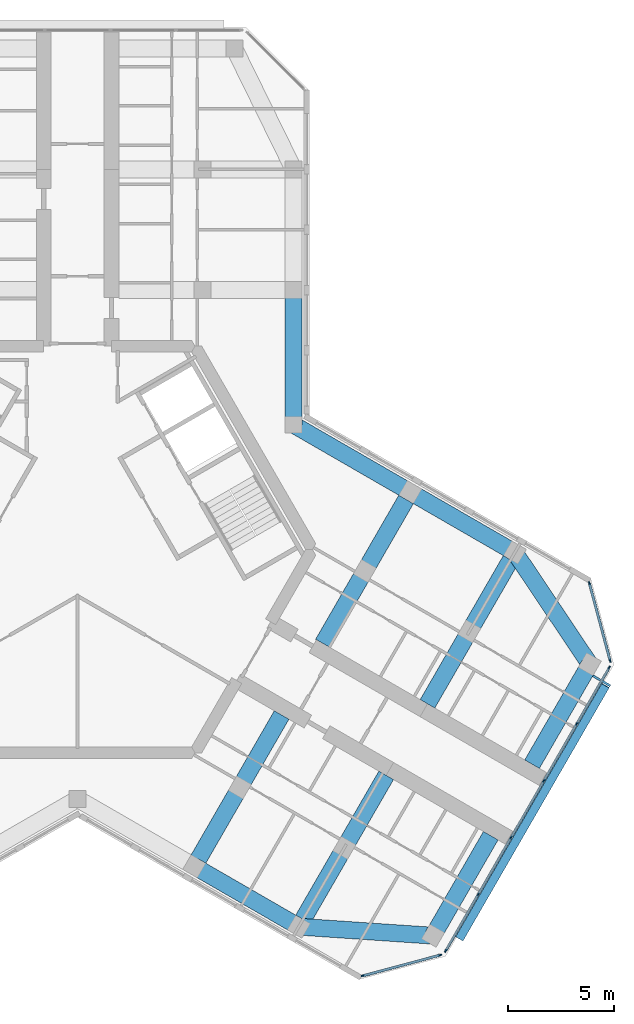
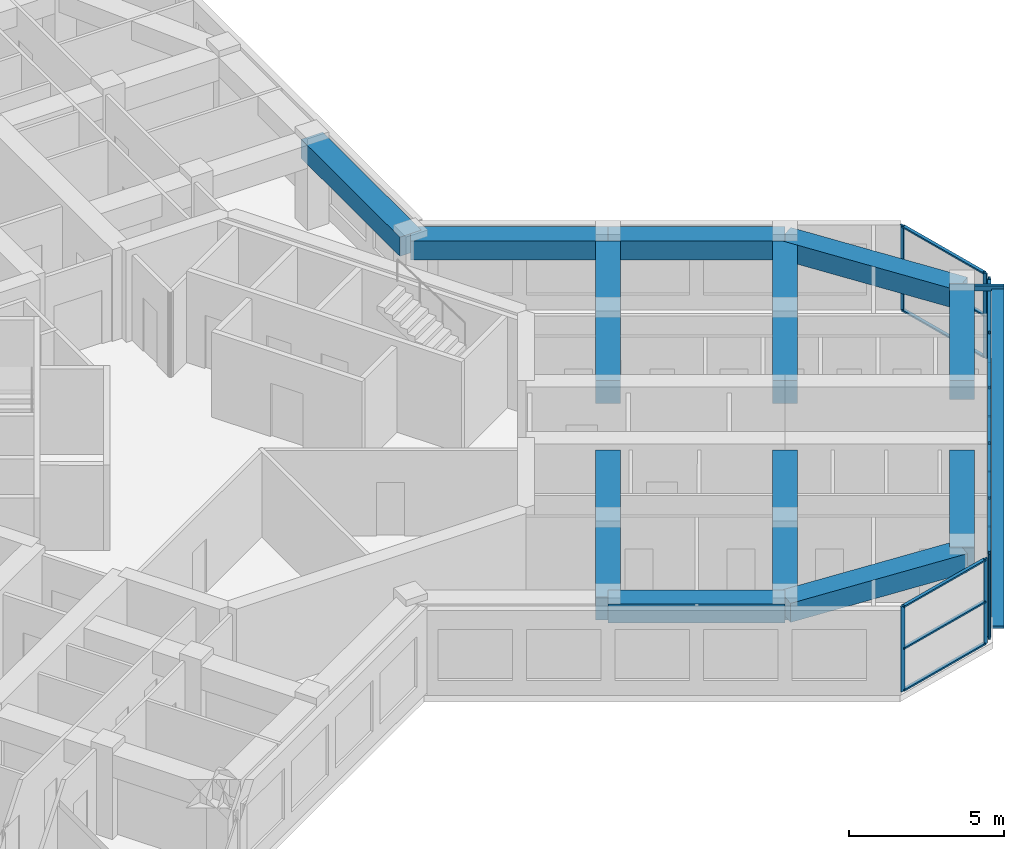
# One storey, part 4 of 14: 28 members, 12 beams, 3 elements without a shape of their own.
"""IFC4 building model written with IfcOpenShell, lengths in metres."""

from ifc_helpers import new_model, si_unit, direction, frame, origin, origin_2d, place, context, subcontext, project, spatial, rectangle, hollow_rectangle, extrude, material, material_profile, profile_set, type_object, element, aggregate, save


model = new_model("IFC4")

# Units and contexts
model_context = context("Model", 3, precision=1e-05, world=origin(), true_north=direction((0.0, 1.0)))
body_context = subcontext(model_context, "Body", "Model", "MODEL_VIEW")
ifc_project = project(units=[si_unit("LENGTHUNIT", "METRE"), si_unit("AREAUNIT", "SQUARE_METRE"), si_unit("VOLUMEUNIT", "CUBIC_METRE"), si_unit("PLANEANGLEUNIT", "RADIAN"), si_unit("MASSUNIT", "GRAM", prefix="KILO")], contexts=[model_context])

# Site, building, storey
site_placement = place(None, origin())
site = spatial("IfcSite", under=ifc_project, at=site_placement, CompositionType="ELEMENT")
building_placement = place(site_placement, origin())
building = spatial("IfcBuilding", under=site, at=building_placement, Name="Kosmar Iwan School Tower", CompositionType="ELEMENT")
storey_placement = place(building_placement, frame((0.0, 0.0, 271.0)))
storey = spatial("IfcBuildingStorey", under=building, at=storey_placement, Name="L68", CompositionType="ELEMENT", Elevation=271.0)

# Members
ifc_material_1 = material(Name="Black anodised aluminium", Category="aluminium")
ifc_material_profile_1 = material_profile(ifc_material_1, rectangle(XDim=0.10009765625, YDim=0.39990234375, at=origin_2d()), Name="FIN 100x400")
ifc_profile_set_1 = profile_set([ifc_material_profile_1], Name="Black anodised aluminium")
member_type_1 = type_object("IfcMemberType", Name="Diagonal fin 100x400", PredefinedType="USERDEFINED", material=ifc_profile_set_1)
member_1_placement = place(storey_placement, frame((18.0283203125, -18.3740234375, -0.14990234375), z_axis=(0.483802480126, 0.837968840024, 0.252474520243), x_axis=(-0.126237445008, -0.218649241594, 0.967603543104)))
element("IfcMember", 1, at=member_1_placement, inside=storey, type_object=member_type_1, Name="Diagonal fin L68-F03", ObjectType="FIN", PredefinedType="USERDEFINED", context=body_context, shape_type="SweptSolid", body=[
    extrude(rectangle(XDim=0.10009765625, YDim=0.39990234375, at=origin_2d()), origin(), (0.0, 0.0, 1.0), 14.25830078125),
])
ifc_material_2 = material(Name="Steel S355", Category="steel")
ifc_material_profile_2 = material_profile(ifc_material_2, hollow_rectangle(XDim=0.10009765625, YDim=0.199951171875, WallThickness=0.008056640625, at=origin_2d()), Name="RHS 200x100x8")
ifc_profile_set_2 = profile_set([ifc_material_profile_2], Name="Steel S355")
member_type_2 = type_object("IfcMemberType", Name="Fin bracket RHS 200x100", PredefinedType="USERDEFINED", material=ifc_profile_set_2)
member_2_placement = place(storey_placement, frame((24.327880859375, -5.962890625, 3.47509765625), z_axis=(0.866100000774, -0.49987077196, 0.0), x_axis=(0.49987077196, 0.866100000774, 0.0)))
element("IfcMember", 2, at=member_2_placement, inside=storey, type_object=member_type_2, Name="Fin bracket L69", ObjectType="FIN BRACKET", PredefinedType="USERDEFINED", context=body_context, shape_type="SweptSolid", body=[
    extrude(hollow_rectangle(XDim=0.10009765625, YDim=0.199951171875, WallThickness=0.008056640625, at=origin_2d()), origin(), (0.0, 0.0, 1.0), 0.949951171875),
])

# Curtain wall, members
ifc_material_3 = material(Name="Dark glass in black aluminium frame", Category="aluminium")
curtain_wall_type_1 = type_object("IfcCurtainWallType", Name="Chamfer curtain wall dark glass", PredefinedType="USERDEFINED", material=ifc_material_3)
curtain_wall_1_placement = place(storey_placement, origin())
curtain_wall_1 = element("IfcCurtainWall", 3, at=curtain_wall_1_placement, inside=storey, type_object=curtain_wall_type_1, Name="Curtain wall L68-F02", ObjectType="FACETED CURTAIN WALL", PredefinedType="USERDEFINED")
ifc_material_4 = material(Name="Black anodised aluminium", Category="aluminium")
ifc_material_profile_3 = material_profile(ifc_material_4, rectangle(XDim=0.06005859375, YDim=0.159912109375, at=origin_2d()), Name="MULLION 60x160")
ifc_profile_set_3 = profile_set([ifc_material_profile_3], Name="Black anodised aluminium")
member_type_3 = type_object("IfcMemberType", Name="Mullion 60x160", PredefinedType="MULLION", material=ifc_profile_set_3)
member_3_placement = place(storey_placement, frame((13.466064453125, -20.127197265625, 0.0), z_axis=(0.0, 0.0, 1.0), x_axis=(-0.258818861462, 0.965925875495, 0.0)))
member_3 = element("IfcMember", 4, at=member_3_placement, type_object=member_type_3, Name="CW2 mullion 1", PredefinedType="MULLION", context=body_context, shape_type="SweptSolid", body=[
    extrude(rectangle(XDim=0.06005859375, YDim=0.159912109375, at=origin_2d()), origin(), (0.0, 0.0, 1.0), 3.35009765625),
])
member_4_placement = place(storey_placement, frame((17.1162109375, -19.149169921875, 0.0), z_axis=(0.0, 0.0, 1.0), x_axis=(-0.258818861462, 0.965925875495, 0.0)))
member_4 = element("IfcMember", 5, at=member_4_placement, type_object=member_type_3, Name="CW2 mullion 2", PredefinedType="MULLION", context=body_context, shape_type="SweptSolid", body=[
    extrude(rectangle(XDim=0.06005859375, YDim=0.159912109375, at=origin_2d()), origin(), (0.0, 0.0, 1.0), 3.35009765625),
])

ifc_material_5 = material(Name="Dark glass in black aluminium frame", Category="aluminium")
curtain_wall_type_2 = type_object("IfcCurtainWallType", Name="Tower curtain wall dark glass", PredefinedType="USERDEFINED", material=ifc_material_5)
curtain_wall_2_placement = place(storey_placement, origin())
curtain_wall_2 = element("IfcCurtainWall", 6, at=curtain_wall_2_placement, inside=storey, type_object=curtain_wall_type_2, Name="Curtain wall L68-F03", ObjectType="UNITISED CURTAIN WALL", PredefinedType="USERDEFINED")
member_5_placement = place(storey_placement, frame((17.380126953125, -18.94677734375, 0.0), z_axis=(0.0, 0.0, 1.0), x_axis=(-0.866025405329, 0.499999997325, 0.0)))
member_5 = element("IfcMember", 7, at=member_5_placement, type_object=member_type_3, Name="CW1 mullion 1", PredefinedType="MULLION", context=body_context, shape_type="SweptSolid", body=[
    extrude(rectangle(XDim=0.06005859375, YDim=0.159912109375, at=origin_2d()), origin(), (0.0, 0.0, 1.0), 3.35009765625),
])
member_6_placement = place(storey_placement, frame((18.914794921875, -16.28857421875, 0.0), z_axis=(0.0, 0.0, 1.0), x_axis=(-0.866025405329, 0.499999997325, 0.0)))
member_6 = element("IfcMember", 8, at=member_6_placement, type_object=member_type_3, Name="CW1 mullion 2", PredefinedType="MULLION", context=body_context, shape_type="SweptSolid", body=[
    extrude(rectangle(XDim=0.06005859375, YDim=0.159912109375, at=origin_2d()), origin(), (0.0, 0.0, 1.0), 3.35009765625),
])
member_7_placement = place(storey_placement, frame((20.46435546875, -13.6044921875, 0.0), z_axis=(0.0, 0.0, 1.0), x_axis=(-0.866025405329, 0.499999997325, 0.0)))
member_7 = element("IfcMember", 9, at=member_7_placement, type_object=member_type_3, Name="CW1 mullion 3", PredefinedType="MULLION", context=body_context, shape_type="SweptSolid", body=[
    extrude(rectangle(XDim=0.06005859375, YDim=0.159912109375, at=origin_2d()), origin(), (0.0, 0.0, 1.0), 3.35009765625),
])
member_8_placement = place(storey_placement, frame((22.01416015625, -10.92041015625, 0.0), z_axis=(0.0, 0.0, 1.0), x_axis=(-0.866025405329, 0.499999997325, 0.0)))
member_8 = element("IfcMember", 10, at=member_8_placement, type_object=member_type_3, Name="CW1 mullion 4", PredefinedType="MULLION", context=body_context, shape_type="SweptSolid", body=[
    extrude(rectangle(XDim=0.06005859375, YDim=0.159912109375, at=origin_2d()), origin(), (0.0, 0.0, 1.0), 3.35009765625),
])
member_9_placement = place(storey_placement, frame((23.563720703125, -8.236328125, 0.0), z_axis=(0.0, 0.0, 1.0), x_axis=(-0.866025405329, 0.499999997325, 0.0)))
member_9 = element("IfcMember", 11, at=member_9_placement, type_object=member_type_3, Name="CW1 mullion 5", PredefinedType="MULLION", context=body_context, shape_type="SweptSolid", body=[
    extrude(rectangle(XDim=0.06005859375, YDim=0.159912109375, at=origin_2d()), origin(), (0.0, 0.0, 1.0), 3.35009765625),
])
member_10_placement = place(storey_placement, frame((25.098388671875, -5.578369140625, 0.0), z_axis=(0.0, 0.0, 1.0), x_axis=(-0.866025405329, 0.499999997325, 0.0)))
member_10 = element("IfcMember", 12, at=member_10_placement, type_object=member_type_3, Name="CW1 mullion 6", PredefinedType="MULLION", context=body_context, shape_type="SweptSolid", body=[
    extrude(rectangle(XDim=0.06005859375, YDim=0.159912109375, at=origin_2d()), origin(), (0.0, 0.0, 1.0), 3.35009765625),
])

curtain_wall_3_placement = place(storey_placement, origin())
curtain_wall_3 = element("IfcCurtainWall", 13, at=curtain_wall_3_placement, inside=storey, type_object=curtain_wall_type_1, Name="Curtain wall L68-F04", ObjectType="FACETED CURTAIN WALL", PredefinedType="USERDEFINED")
member_11_placement = place(storey_placement, frame((25.141845703125, -5.24853515625, 0.0), z_axis=(0.0, 0.0, 1.0), x_axis=(-0.965925875495, -0.258818861462, 0.0)))
member_11 = element("IfcMember", 14, at=member_11_placement, type_object=member_type_3, Name="CW2 mullion 1", PredefinedType="MULLION", context=body_context, shape_type="SweptSolid", body=[
    extrude(rectangle(XDim=0.06005859375, YDim=0.159912109375, at=origin_2d()), origin(), (0.0, 0.0, 1.0), 3.35009765625),
])
member_12_placement = place(storey_placement, frame((24.163818359375, -1.59814453125, 0.0), z_axis=(0.0, 0.0, 1.0), x_axis=(-0.965925875495, -0.258818861462, 0.0)))
member_12 = element("IfcMember", 15, at=member_12_placement, type_object=member_type_3, Name="CW2 mullion 2", PredefinedType="MULLION", context=body_context, shape_type="SweptSolid", body=[
    extrude(rectangle(XDim=0.06005859375, YDim=0.159912109375, at=origin_2d()), origin(), (0.0, 0.0, 1.0), 3.35009765625),
])

# Beams
ifc_material_6 = material(Name="Concrete C50/60", Category="concrete")
ifc_material_profile_4 = material_profile(ifc_material_6, rectangle(XDim=0.800048828125, YDim=0.75, at=origin_2d()), Name="RC 800x750")
ifc_profile_set_4 = profile_set([ifc_material_profile_4], Name="Concrete C50/60")
beam_type_1 = type_object("IfcBeamType", Name="RC edge beam 800x750", PredefinedType="BEAM", material=ifc_profile_set_4)
beam_1_placement = place(storey_placement, frame((10.199951171875, 5.888916015625, 2.97509765625), z_axis=(0.0, 1.0, 0.0), x_axis=(-1.0, 0.0, 0.0)))
element("IfcBeam", 16, at=beam_1_placement, inside=storey, type_object=beam_type_1, Name="Edge beam AR1", PredefinedType="BEAM", context=body_context, shape_type="SweptSolid", body=[
    extrude(rectangle(XDim=0.800048828125, YDim=0.75, at=origin_2d()), origin(), (0.0, 0.0, 1.0), 6.361083984375),
])
beam_2_placement = place(storey_placement, frame((10.199951171875, 5.888916015625, 2.97509765625), z_axis=(0.866030912664, -0.49999045822, 0.0), x_axis=(0.49999045822, 0.866030912664, 0.0)))
element("IfcBeam", 17, at=beam_2_placement, inside=storey, type_object=beam_type_1, Name="Edge beam CL1", PredefinedType="BEAM", context=body_context, shape_type="SweptSolid", body=[
    extrude(rectangle(XDim=0.800048828125, YDim=0.75, at=origin_2d()), origin(), (0.0, 0.0, 1.0), 6.36083984375),
])
beam_3_placement = place(storey_placement, frame((15.708740234375, 2.70849609375, 2.97509765625), z_axis=(0.866025820012, -0.499999279071, 0.0), x_axis=(0.499999279071, 0.866025820012, 0.0)))
element("IfcBeam", 18, at=beam_3_placement, inside=storey, type_object=beam_type_1, Name="Edge beam CL2", PredefinedType="BEAM", context=body_context, shape_type="SweptSolid", body=[
    extrude(rectangle(XDim=0.800048828125, YDim=0.75, at=origin_2d()), origin(), (0.0, 0.0, 1.0), 5.7001953125),
])
beam_4_placement = place(storey_placement, frame((5.5087890625, -14.95849609375, 2.97509765625), z_axis=(0.866033658841, -0.49998570155, 0.0), x_axis=(0.49998570155, 0.866033658841, 0.0)))
element("IfcBeam", 19, at=beam_4_placement, inside=storey, type_object=beam_type_1, Name="Edge beam CR2", PredefinedType="BEAM", context=body_context, shape_type="SweptSolid", body=[
    extrude(rectangle(XDim=0.800048828125, YDim=0.75, at=origin_2d()), origin(), (0.0, 0.0, 1.0), 5.699951171875),
])
ifc_material_7 = material(Name="Concrete C50/60", Category="concrete")
ifc_material_profile_5 = material_profile(ifc_material_7, rectangle(XDim=0.800048828125, YDim=0.75, at=origin_2d()), Name="RC 800x750")
ifc_profile_set_5 = profile_set([ifc_material_profile_5], Name="Concrete C50/60")
beam_type_2 = type_object("IfcBeamType", Name="RC tip beam 800x750", PredefinedType="BEAM", material=ifc_profile_set_5)
beam_5_placement = place(storey_placement, frame((20.645263671875, -0.1416015625, 2.97509765625), z_axis=(0.556827604145, -0.83062808721, 0.0), x_axis=(0.83062808721, 0.556827604145, 0.0)))
element("IfcBeam", 20, at=beam_5_placement, inside=storey, type_object=beam_type_2, Name="Tip beam CL", PredefinedType="BEAM", context=body_context, shape_type="SweptSolid", body=[
    extrude(rectangle(XDim=0.800048828125, YDim=0.75, at=origin_2d()), origin(), (0.0, 0.0, 1.0), 6.3505859375),
])
beam_6_placement = place(storey_placement, frame((24.181396484375, -5.41650390625, 2.97509765625), z_axis=(-0.499988730927, -0.866031909889, 0.0), x_axis=(0.866031909889, -0.499988730927, 0.0)))
element("IfcBeam", 21, at=beam_6_placement, inside=storey, type_object=beam_type_2, Name="Tip beam CL to corridor wall", PredefinedType="BEAM", context=body_context, shape_type="SweptSolid", body=[
    extrude(rectangle(XDim=0.800048828125, YDim=0.75, at=origin_2d()), origin(), (0.0, 0.0, 1.0), 5.449951171875),
])
beam_7_placement = place(storey_placement, frame((10.445068359375, -17.808349609375, 2.97509765625), z_axis=(0.997755118724, -0.066968074933, 0.0), x_axis=(0.066968074933, 0.997755118724, 0.0)))
element("IfcBeam", 22, at=beam_7_placement, inside=storey, type_object=beam_type_2, Name="Tip beam CR", PredefinedType="BEAM", context=body_context, shape_type="SweptSolid", body=[
    extrude(rectangle(XDim=0.800048828125, YDim=0.75, at=origin_2d()), origin(), (0.0, 0.0, 1.0), 6.3505859375),
])
beam_8_placement = place(storey_placement, frame((16.781494140625, -18.233642578125, 2.97509765625), z_axis=(0.500002931134, 0.866023711487, 0.0), x_axis=(-0.866023711487, 0.500002931134, 0.0)))
element("IfcBeam", 23, at=beam_8_placement, inside=storey, type_object=beam_type_2, Name="Tip beam CR to corridor wall", PredefinedType="BEAM", context=body_context, shape_type="SweptSolid", body=[
    extrude(rectangle(XDim=0.800048828125, YDim=0.75, at=origin_2d()), origin(), (0.0, 0.0, 1.0), 5.4501953125),
])
ifc_material_8 = material(Name="Concrete C50/60", Category="concrete")
ifc_material_profile_6 = material_profile(ifc_material_8, rectangle(XDim=0.800048828125, YDim=0.89990234375, at=origin_2d()), Name="RC 800x900")
ifc_profile_set_6 = profile_set([ifc_material_profile_6], Name="Concrete C50/60")
beam_type_3 = type_object("IfcBeamType", Name="RC transverse beam 800x900", PredefinedType="BEAM", material=ifc_profile_set_6)
beam_9_placement = place(storey_placement, frame((15.708740234375, 2.70849609375, 2.89990234375), z_axis=(-0.499996545922, -0.866027397988, 0.0), x_axis=(0.866027397988, -0.499996545922, 0.0)))
element("IfcBeam", 24, at=beam_9_placement, inside=storey, type_object=beam_type_3, Name="Transverse beam CL1", PredefinedType="BEAM", context=body_context, shape_type="SweptSolid", body=[
    extrude(rectangle(XDim=0.800048828125, YDim=0.89990234375, at=origin_2d()), origin(), (0.0, 0.0, 1.0), 8.25),
])
beam_10_placement = place(storey_placement, frame((20.645263671875, -0.1416015625, 2.89990234375), z_axis=(-0.500009360108, -0.866019999656, 0.0), x_axis=(0.866019999656, -0.500009360108, 0.0)))
element("IfcBeam", 25, at=beam_10_placement, inside=storey, type_object=beam_type_3, Name="Transverse beam CL2", PredefinedType="BEAM", context=body_context, shape_type="SweptSolid", body=[
    extrude(rectangle(XDim=0.800048828125, YDim=0.89990234375, at=origin_2d()), origin(), (0.0, 0.0, 1.0), 8.249755859375),
])
beam_11_placement = place(storey_placement, frame((5.5087890625, -14.95849609375, 2.89990234375), z_axis=(0.499996545922, 0.866027397988, 0.0), x_axis=(-0.866027397988, 0.499996545922, 0.0)))
element("IfcBeam", 26, at=beam_11_placement, inside=storey, type_object=beam_type_3, Name="Transverse beam CR1", PredefinedType="BEAM", context=body_context, shape_type="SweptSolid", body=[
    extrude(rectangle(XDim=0.800048828125, YDim=0.89990234375, at=origin_2d()), origin(), (0.0, 0.0, 1.0), 8.25),
])
beam_12_placement = place(storey_placement, frame((10.445068359375, -17.808349609375, 2.89990234375), z_axis=(0.500009360108, 0.866019999656, 0.0), x_axis=(-0.866019999656, 0.500009360108, 0.0)))
element("IfcBeam", 27, at=beam_12_placement, inside=storey, type_object=beam_type_3, Name="Transverse beam CR2", PredefinedType="BEAM", context=body_context, shape_type="SweptSolid", body=[
    extrude(rectangle(XDim=0.800048828125, YDim=0.89990234375, at=origin_2d()), origin(), (0.0, 0.0, 1.0), 8.249755859375),
])

# Member
ifc_material_9 = material(Name="Black anodised aluminium", Category="aluminium")
ifc_material_profile_7 = material_profile(ifc_material_9, rectangle(XDim=0.1201171875, YDim=0.06005859375, at=origin_2d()), Name="TRANSOM 60x120")
ifc_profile_set_7 = profile_set([ifc_material_profile_7], Name="Black anodised aluminium")
member_type_4 = type_object("IfcMemberType", Name="Transom 60x120", PredefinedType="USERDEFINED", material=ifc_profile_set_7)
member_13_placement = place(storey_placement, frame((13.494873046875, -20.119384765625, 0.030029296875), z_axis=(0.965940141052, 0.258765615768, 0.0), x_axis=(-0.258765615768, 0.965940141052, 0.0)))
member_13 = element("IfcMember", 28, at=member_13_placement, type_object=member_type_4, Name="CW2 transom 1.1", ObjectType="TRANSOM", PredefinedType="USERDEFINED", context=body_context, shape_type="SweptSolid", body=[
    extrude(rectangle(XDim=0.1201171875, YDim=0.06005859375, at=origin_2d()), origin(), (0.0, 0.0, 1.0), 3.71923828125),
])

member_14_placement = place(storey_placement, frame((13.494873046875, -20.119384765625, 1.675048828125), z_axis=(0.965940141052, 0.258765615768, 0.0), x_axis=(-0.258765615768, 0.965940141052, 0.0)))
member_14 = element("IfcMember", 29, at=member_14_placement, type_object=member_type_4, Name="CW2 transom 1.2", ObjectType="TRANSOM", PredefinedType="USERDEFINED", context=body_context, shape_type="SweptSolid", body=[
    extrude(rectangle(XDim=0.1201171875, YDim=0.06005859375, at=origin_2d()), origin(), (0.0, 0.0, 1.0), 3.71923828125),
])

member_15_placement = place(storey_placement, frame((13.494873046875, -20.119384765625, 3.320068359375), z_axis=(0.965940141052, 0.258765615768, 0.0), x_axis=(-0.258765615768, 0.965940141052, 0.0)))
member_15 = element("IfcMember", 30, at=member_15_placement, type_object=member_type_4, Name="CW2 transom 1.3", ObjectType="TRANSOM", PredefinedType="USERDEFINED", context=body_context, shape_type="SweptSolid", body=[
    extrude(rectangle(XDim=0.1201171875, YDim=0.06005859375, at=origin_2d()), origin(), (0.0, 0.0, 1.0), 3.71923828125),
])

aggregate(curtain_wall_1, [member_3, member_4, member_13, member_14, member_15])

member_16_placement = place(storey_placement, frame((17.395263671875, -18.920654296875, 0.030029296875), z_axis=(0.500022102064, 0.866012642776, 0.0), x_axis=(-0.866012642776, 0.500022102064, 0.0)))
member_16 = element("IfcMember", 31, at=member_16_placement, type_object=member_type_4, Name="CW1 transom 1.1", ObjectType="TRANSOM", PredefinedType="USERDEFINED", context=body_context, shape_type="SweptSolid", body=[
    extrude(rectangle(XDim=0.1201171875, YDim=0.06005859375, at=origin_2d()), origin(), (0.0, 0.0, 1.0), 3.009033203125),
])

member_17_placement = place(storey_placement, frame((17.395263671875, -18.920654296875, 3.320068359375), z_axis=(0.500022102064, 0.866012642776, 0.0), x_axis=(-0.866012642776, 0.500022102064, 0.0)))
member_17 = element("IfcMember", 32, at=member_17_placement, type_object=member_type_4, Name="CW1 transom 1.2", ObjectType="TRANSOM", PredefinedType="USERDEFINED", context=body_context, shape_type="SweptSolid", body=[
    extrude(rectangle(XDim=0.1201171875, YDim=0.06005859375, at=origin_2d()), origin(), (0.0, 0.0, 1.0), 3.009033203125),
])

member_18_placement = place(storey_placement, frame((18.9296875, -16.2626953125, 0.030029296875), z_axis=(0.500035348339, 0.866004994449, 0.0), x_axis=(-0.866004994449, 0.500035348339, 0.0)))
member_18 = element("IfcMember", 33, at=member_18_placement, type_object=member_type_4, Name="CW1 transom 2.1", ObjectType="TRANSOM", PredefinedType="USERDEFINED", context=body_context, shape_type="SweptSolid", body=[
    extrude(rectangle(XDim=0.1201171875, YDim=0.06005859375, at=origin_2d()), origin(), (0.0, 0.0, 1.0), 3.039306640625),
])

member_19_placement = place(storey_placement, frame((18.9296875, -16.2626953125, 3.320068359375), z_axis=(0.500035348339, 0.866004994449, 0.0), x_axis=(-0.866004994449, 0.500035348339, 0.0)))
member_19 = element("IfcMember", 34, at=member_19_placement, type_object=member_type_4, Name="CW1 transom 2.2", ObjectType="TRANSOM", PredefinedType="USERDEFINED", context=body_context, shape_type="SweptSolid", body=[
    extrude(rectangle(XDim=0.1201171875, YDim=0.06005859375, at=origin_2d()), origin(), (0.0, 0.0, 1.0), 3.039306640625),
])

member_20_placement = place(storey_placement, frame((20.4794921875, -13.57861328125, 0.030029296875), z_axis=(0.499975102327, 0.866039777986, 0.0), x_axis=(-0.866039777986, 0.499975102327, 0.0)))
member_20 = element("IfcMember", 35, at=member_20_placement, type_object=member_type_4, Name="CW1 transom 3.1", ObjectType="TRANSOM", PredefinedType="USERDEFINED", context=body_context, shape_type="SweptSolid", body=[
    extrude(rectangle(XDim=0.1201171875, YDim=0.06005859375, at=origin_2d()), origin(), (0.0, 0.0, 1.0), 3.039306640625),
])

member_21_placement = place(storey_placement, frame((20.4794921875, -13.57861328125, 3.320068359375), z_axis=(0.499975102327, 0.866039777986, 0.0), x_axis=(-0.866039777986, 0.499975102327, 0.0)))
member_21 = element("IfcMember", 36, at=member_21_placement, type_object=member_type_4, Name="CW1 transom 3.2", ObjectType="TRANSOM", PredefinedType="USERDEFINED", context=body_context, shape_type="SweptSolid", body=[
    extrude(rectangle(XDim=0.1201171875, YDim=0.06005859375, at=origin_2d()), origin(), (0.0, 0.0, 1.0), 3.039306640625),
])

member_22_placement = place(storey_placement, frame((22.029052734375, -10.89453125, 0.030029296875), z_axis=(0.500035348339, 0.866004994449, 0.0), x_axis=(-0.866004994449, 0.500035348339, 0.0)))
member_22 = element("IfcMember", 37, at=member_22_placement, type_object=member_type_4, Name="CW1 transom 4.1", ObjectType="TRANSOM", PredefinedType="USERDEFINED", context=body_context, shape_type="SweptSolid", body=[
    extrude(rectangle(XDim=0.1201171875, YDim=0.06005859375, at=origin_2d()), origin(), (0.0, 0.0, 1.0), 3.039306640625),
])

member_23_placement = place(storey_placement, frame((22.029052734375, -10.89453125, 3.320068359375), z_axis=(0.500035348339, 0.866004994449, 0.0), x_axis=(-0.866004994449, 0.500035348339, 0.0)))
member_23 = element("IfcMember", 38, at=member_23_placement, type_object=member_type_4, Name="CW1 transom 4.2", ObjectType="TRANSOM", PredefinedType="USERDEFINED", context=body_context, shape_type="SweptSolid", body=[
    extrude(rectangle(XDim=0.1201171875, YDim=0.06005859375, at=origin_2d()), origin(), (0.0, 0.0, 1.0), 3.039306640625),
])

member_24_placement = place(storey_placement, frame((23.578857421875, -8.21044921875, 0.030029296875), z_axis=(0.499986971506, 0.866032925658, 0.0), x_axis=(-0.866032925658, 0.499986971506, 0.0)))
member_24 = element("IfcMember", 39, at=member_24_placement, type_object=member_type_4, Name="CW1 transom 5.1", ObjectType="TRANSOM", PredefinedType="USERDEFINED", context=body_context, shape_type="SweptSolid", body=[
    extrude(rectangle(XDim=0.1201171875, YDim=0.06005859375, at=origin_2d()), origin(), (0.0, 0.0, 1.0), 3.00927734375),
])

member_25_placement = place(storey_placement, frame((23.578857421875, -8.21044921875, 3.320068359375), z_axis=(0.499986971506, 0.866032925658, 0.0), x_axis=(-0.866032925658, 0.499986971506, 0.0)))
member_25 = element("IfcMember", 40, at=member_25_placement, type_object=member_type_4, Name="CW1 transom 5.2", ObjectType="TRANSOM", PredefinedType="USERDEFINED", context=body_context, shape_type="SweptSolid", body=[
    extrude(rectangle(XDim=0.1201171875, YDim=0.06005859375, at=origin_2d()), origin(), (0.0, 0.0, 1.0), 3.00927734375),
])

aggregate(curtain_wall_2, [member_5, member_6, member_7, member_8, member_9, member_10, member_16, member_17, member_18, member_19, member_20, member_21, member_22, member_23, member_24, member_25])

member_26_placement = place(storey_placement, frame((25.134033203125, -5.219482421875, 0.030029296875), z_axis=(-0.258843273983, 0.965919333854, 0.0), x_axis=(-0.965919333854, -0.258843273983, 0.0)))
member_26 = element("IfcMember", 41, at=member_26_placement, type_object=member_type_4, Name="CW2 transom 1.1", ObjectType="TRANSOM", PredefinedType="USERDEFINED", context=body_context, shape_type="SweptSolid", body=[
    extrude(rectangle(XDim=0.1201171875, YDim=0.06005859375, at=origin_2d()), origin(), (0.0, 0.0, 1.0), 3.718994140625),
])

member_27_placement = place(storey_placement, frame((25.134033203125, -5.219482421875, 1.675048828125), z_axis=(-0.258843273983, 0.965919333854, 0.0), x_axis=(-0.965919333854, -0.258843273983, 0.0)))
member_27 = element("IfcMember", 42, at=member_27_placement, type_object=member_type_4, Name="CW2 transom 1.2", ObjectType="TRANSOM", PredefinedType="USERDEFINED", context=body_context, shape_type="SweptSolid", body=[
    extrude(rectangle(XDim=0.1201171875, YDim=0.06005859375, at=origin_2d()), origin(), (0.0, 0.0, 1.0), 3.718994140625),
])

member_28_placement = place(storey_placement, frame((25.134033203125, -5.219482421875, 3.320068359375), z_axis=(-0.258843273983, 0.965919333854, 0.0), x_axis=(-0.965919333854, -0.258843273983, 0.0)))
member_28 = element("IfcMember", 43, at=member_28_placement, type_object=member_type_4, Name="CW2 transom 1.3", ObjectType="TRANSOM", PredefinedType="USERDEFINED", context=body_context, shape_type="SweptSolid", body=[
    extrude(rectangle(XDim=0.1201171875, YDim=0.06005859375, at=origin_2d()), origin(), (0.0, 0.0, 1.0), 3.718994140625),
])

aggregate(curtain_wall_3, [member_11, member_12, member_26, member_27, member_28])

save(model, "model.ifc")
